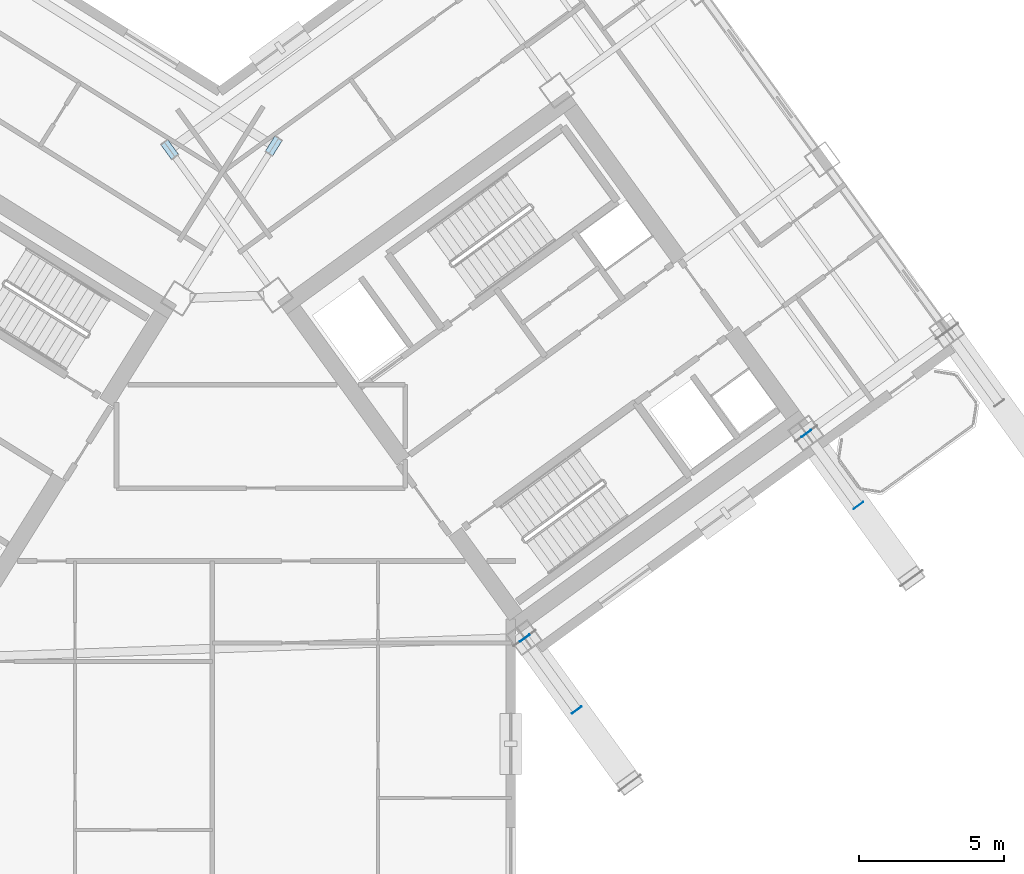
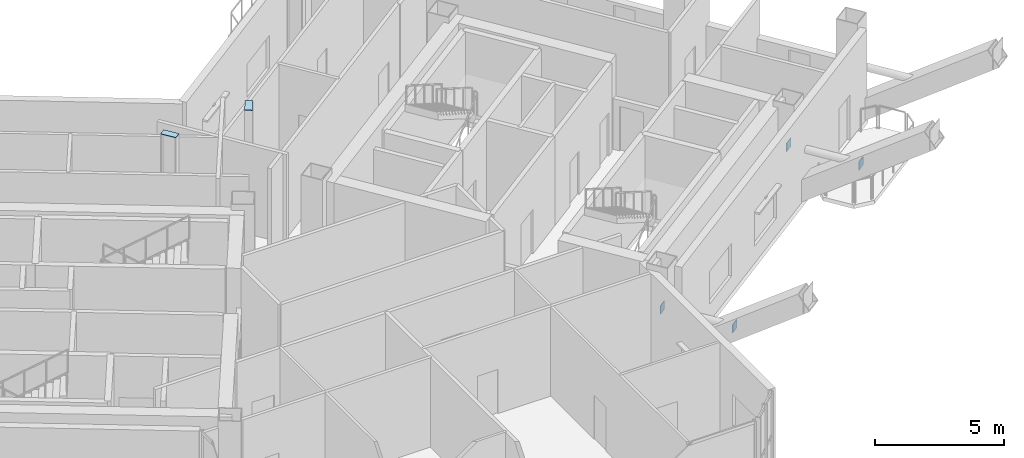
# One storey, part 18 of 32: 6 plates.
"""IFC4 building model written with IfcOpenShell, lengths in metres."""

import ifcopenshell
import ifcopenshell.guid

model = None  # the IFC model being written
_history = None  # IfcOwnerHistory: only IFC2X3 demands one
_inside = {}  # id of a spatial element -> (the spatial element, [elements in it])
_under = {}  # id of a project, library or spatial element -> (it, [spatial elements below it])
_declared = {}  # id of a project -> (the project, [libraries it declares])
_typed = {}  # id of a type object -> (the type object, [elements of that type])
_made_of = {}  # id of a material, layer set ... -> (it, [elements and type objects made of it])


def new_model(schema):
    """Start an empty IFC model of exactly this schema.

    Asked for "IFC4X3", IfcOpenShell would pick the latest addendum, in which some entities
    have other attributes; the version numbers below select the first issue.
    IFC2X3 requires an IfcOwnerHistory on every rooted entity: one is made here for all.
    """
    global model, _history
    if schema == "IFC4X3":
        model = ifcopenshell.file(schema_version=(4, 3, 0, 0))
    else:
        model = ifcopenshell.file(schema=schema)
    _inside.clear()
    _under.clear()
    _declared.clear()
    _typed.clear()
    _made_of.clear()
    _history = None
    if model.schema == "IFC2X3":
        org = make("IfcOrganization", Name="unknown")
        user = make(
            "IfcPersonAndOrganization",
            ThePerson=make("IfcPerson", FamilyName="unknown"),
            TheOrganization=org,
        )
        app = make(
            "IfcApplication",
            ApplicationDeveloper=org,
            Version="unknown",
            ApplicationFullName="unknown",
            ApplicationIdentifier="unknown",
        )
        _history = make(
            "IfcOwnerHistory",
            OwningUser=user,
            OwningApplication=app,
            ChangeAction="ADDED",
            CreationDate=0,
        )
    return model


def make(cls, **values):
    """One entity of the class cls with the attributes given. An attribute that is None is left unset."""
    return model.create_entity(
        cls, **{name: value for name, value in values.items() if value is not None}
    )


def rooted(cls, **values):
    """An entity with a GlobalId (a new one), such as an element, a storey or a relation."""
    return make(cls, GlobalId=ifcopenshell.guid.new(), OwnerHistory=_history, **values)


def si_unit(unit_type, name, prefix=None):
    """IfcSIUnit, for example si_unit("LENGTHUNIT", "METRE", prefix="MILLI")."""
    return make("IfcSIUnit", UnitType=unit_type, Prefix=prefix, Name=name)


def assignment(units):
    """IfcUnitAssignment: the units of a project."""
    return None if units is None else make("IfcUnitAssignment", Units=units)


def point(xyz):
    """IfcCartesianPoint."""
    return None if xyz is None else make("IfcCartesianPoint", Coordinates=xyz)


def direction(xyz):
    """IfcDirection."""
    return None if xyz is None else make("IfcDirection", DirectionRatios=xyz)


def frame(location, z_axis=None, x_axis=None):
    """IfcAxis2Placement3D, a coordinate frame: its origin and axes. An axis left out is left unset."""
    return make(
        "IfcAxis2Placement3D",
        Location=point(location),
        Axis=direction(z_axis),
        RefDirection=direction(x_axis),
    )


def frame_2d(location, x_axis=None):
    """IfcAxis2Placement2D, a coordinate frame in the plane: its origin and x axis."""
    return make(
        "IfcAxis2Placement2D", Location=point(location), RefDirection=direction(x_axis)
    )


def origin():
    """The frame at (0, 0, 0) with its axes left unset."""
    return frame((0.0, 0.0, 0.0))


def origin_2d():
    """The frame at (0, 0) in the plane with its x axis left unset."""
    return frame_2d((0.0, 0.0))


def place(relative_to, where):
    """IfcLocalPlacement: puts the frame where relative to a parent placement (None: the world)."""
    return make(
        "IfcLocalPlacement", PlacementRelTo=relative_to, RelativePlacement=where
    )


def context(
    kind, dimensions, precision=None, world=None, true_north=None, identifier=None
):
    """IfcGeometricRepresentationContext, for example the 3D "Model" context."""
    return make(
        "IfcGeometricRepresentationContext",
        ContextIdentifier=identifier,
        ContextType=kind,
        CoordinateSpaceDimension=dimensions,
        Precision=precision,
        WorldCoordinateSystem=world,
        TrueNorth=true_north,
    )


def subcontext(parent, identifier, kind, view, scale=None):
    """IfcGeometricRepresentationSubContext, for example "Body" below "Model"."""
    return make(
        "IfcGeometricRepresentationSubContext",
        ContextIdentifier=identifier,
        ContextType=kind,
        ParentContext=parent,
        TargetScale=scale,
        TargetView=view,
    )


def project(units=None, contexts=None):
    """IfcProject with its units and contexts."""
    return rooted(
        "IfcProject",
        Name="project",
        RepresentationContexts=contexts,
        UnitsInContext=assignment(units),
    )


def spatial(cls, under=None, at=None, **own):
    """A site, building, storey or space (cls), placed at a placement, below another one or the project."""
    s = rooted(cls, ObjectPlacement=at, **own)
    if under is not None:
        _under.setdefault(under.id(), (under, []))[1].append(s)
    return s


def profile(cls, at=None, kind="AREA", **sizes):
    """A parametric profile (cls). Its sizes go by their IFC names, for example OverallWidth=200.0."""
    return make(cls, ProfileType=kind, Position=at, **sizes)


def rectangle(**sizes):
    """IfcRectangleProfileDef."""
    return profile("IfcRectangleProfileDef", **sizes)


def extrude(swept, where, along, depth):
    """IfcExtrudedAreaSolid: the profile swept, set in the frame where, extruded along a direction by depth."""
    return make(
        "IfcExtrudedAreaSolid",
        SweptArea=swept,
        Position=where,
        ExtrudedDirection=direction(along),
        Depth=depth,
    )


def shape(context_of_items, identifier, shape_type, items):
    """IfcShapeRepresentation: the items that make up one representation, for example the "Body"."""
    return make(
        "IfcShapeRepresentation",
        ContextOfItems=context_of_items,
        RepresentationIdentifier=identifier,
        RepresentationType=shape_type,
        Items=items,
    )


def source(mapping_origin, context_of_items, identifier, shape_type, items):
    """IfcRepresentationMap: a shape defined once, which mapped items show again and again."""
    return make(
        "IfcRepresentationMap",
        MappingOrigin=mapping_origin,
        MappedRepresentation=shape(context_of_items, identifier, shape_type, items),
    )


def transform(
    local_origin,
    x_axis=None,
    y_axis=None,
    z_axis=None,
    scale=None,
    scale2=None,
    scale3=None,
    uniform=True,
):
    """IfcCartesianTransformationOperator3D, or its non-uniform kind. x_axis, y_axis, z_axis: its Axis1, 2, 3."""
    if uniform:
        return make(
            "IfcCartesianTransformationOperator3D",
            Axis1=direction(x_axis),
            Axis2=direction(y_axis),
            LocalOrigin=point(local_origin),
            Scale=scale,
            Axis3=direction(z_axis),
        )
    return make(
        "IfcCartesianTransformationOperator3DnonUniform",
        Axis1=direction(x_axis),
        Axis2=direction(y_axis),
        LocalOrigin=point(local_origin),
        Scale=scale,
        Axis3=direction(z_axis),
        Scale2=scale2,
        Scale3=scale3,
    )


def mapped(mapping_source, mapping_target):
    """IfcMappedItem: shows the shape of a source again, moved by a transform."""
    return make(
        "IfcMappedItem", MappingSource=mapping_source, MappingTarget=mapping_target
    )


def material(Name=None, Category=None):
    """IfcMaterial."""
    return make("IfcMaterial", Name=Name, Category=Category)


def layer(
    of_material, thickness, ventilated=None, Name=None, Category=None, Priority=None
):
    """IfcMaterialLayer: one layer of a wall or slab, of a material (None: an air gap)."""
    return make(
        "IfcMaterialLayer",
        Material=of_material,
        LayerThickness=thickness,
        IsVentilated=ventilated,
        Name=Name,
        Category=Category,
        Priority=Priority,
    )


def layer_set(layers, Name=None):
    """IfcMaterialLayerSet."""
    return make("IfcMaterialLayerSet", MaterialLayers=layers, LayerSetName=Name)


def made_of(thing, what):
    """Note that an element or type object is made of a material, layer set ...; save() writes the relation."""
    if what is not None:
        _made_of.setdefault(what.id(), (what, []))[1].append(thing)
    return thing


def type_object(cls, material=None, **own):
    """A type object (cls), such as IfcWallType, which elements share."""
    return made_of(rooted(cls, **own), material)


def element(
    cls,
    number,
    at=None,
    inside=None,
    cuts=None,
    type_object=None,
    material=None,
    context=None,
    identifier="Body",
    shape_type=None,
    held_by="IfcProductDefinitionShape",
    body=None,
    shapes=None,
    **own,
):
    """One element of the class cls, such as IfcWall. Its Tag is "e" and its number.

    at: its placement. inside: the storey or other place that contains it. cuts: it is an
    opening in that element (IfcRelVoidsElement). A single representation is given by context,
    identifier, shape_type and body (its items); several are given by shapes. held_by: the class
    of the entity that holds the representations. save() writes the other relations.
    """
    e = rooted(cls, Tag="e%d" % number, ObjectPlacement=at, **own)
    if body is not None:
        shapes = [shape(context, identifier, shape_type, body)]
    if shapes is not None:
        e.Representation = make(held_by, Representations=shapes)
    if inside is not None:
        _inside.setdefault(inside.id(), (inside, []))[1].append(e)
    if cuts is not None:
        rooted(
            "IfcRelVoidsElement", RelatingBuildingElement=cuts, RelatedOpeningElement=e
        )
    if type_object is not None:
        _typed.setdefault(type_object.id(), (type_object, []))[1].append(e)
    return made_of(e, material)


def aggregate(whole, parts):
    """IfcRelAggregates: a whole, such as a stair, and the parts it consists of."""
    return rooted("IfcRelAggregates", RelatingObject=whole, RelatedObjects=parts)


def save(model, path):
    """Write the relations noted so far, then the file.

    IfcRelAggregates (storeys below a building ...), IfcRelContainedInSpatialStructure (elements
    in a storey), IfcRelDefinesByType, IfcRelAssociatesMaterial and IfcRelDeclares: one each for
    every whole, place, type object, material and project.
    """
    for whole, parts in _under.values():
        aggregate(whole, parts)
    for where, things in _inside.values():
        rooted(
            "IfcRelContainedInSpatialStructure",
            RelatedElements=things,
            RelatingStructure=where,
        )
    for kind, things in _typed.values():
        rooted("IfcRelDefinesByType", RelatedObjects=things, RelatingType=kind)
    for what, things in _made_of.values():
        rooted("IfcRelAssociatesMaterial", RelatedObjects=things, RelatingMaterial=what)
    for by, libraries in _declared.values():
        rooted("IfcRelDeclares", RelatingContext=by, RelatedDefinitions=libraries)
    model.write(path)


model = new_model("IFC4")

# Units and contexts
model_context = context("Model", 3, precision=1e-05, world=origin(), true_north=direction((0.0, 1.0)))
body_context = subcontext(model_context, "Body", "Model", "MODEL_VIEW")
ifc_project = project(units=[si_unit("LENGTHUNIT", "METRE"), si_unit("AREAUNIT", "SQUARE_METRE"), si_unit("VOLUMEUNIT", "CUBIC_METRE"), si_unit("PLANEANGLEUNIT", "RADIAN"), si_unit("MASSUNIT", "GRAM", prefix="KILO")], contexts=[model_context])

# Site, building, storey
site_placement = place(None, origin())
site = spatial("IfcSite", under=ifc_project, at=site_placement, CompositionType="ELEMENT")
building_placement = place(site_placement, origin())
building = spatial("IfcBuilding", under=site, at=building_placement, Name="Tlacorven Tower", CompositionType="ELEMENT")
storey_placement = place(building_placement, frame((0.0, 0.0, 123.300048828125)))
storey = spatial("IfcBuildingStorey", under=building, at=storey_placement, Name="L31", CompositionType="ELEMENT", Elevation=123.300048828125)

# Plates
ifc_material = material(Name="Steel S460M", Category="steel")
ifc_layer = layer(ifc_material, 0.02392578125)
ifc_layer_set = layer_set([ifc_layer], Name="Steel S460M")
plate_type = type_object("IfcPlateType", Name="PL-CAP-END1", PredefinedType="USERDEFINED", material=ifc_layer_set)
shared_shape_1 = source(origin(), body_context, "Body", "SweptSolid", [
    extrude(rectangle(XDim=0.02392578125, YDim=0.40380859375, at=origin_2d()), origin(), (0.0, 0.0, 1.0), 0.40380859375),
])
for number, where, z_axis, x_axis, name in (
    (1, (52.71728515625, 12.75732421875, 2.048095703125), (0.0, 0.0, 1.0), (0.587783589039, -0.809018202797, 0.0), "L31 hollow end cap plate SBR-L31-E1 1"),
    (2, (54.515869140625, 10.28173828125, 2.048095703125), (0.0, 0.0, 1.0), (0.587783589039, -0.809018202797, 0.0), "L31 hollow end cap plate SBR-L31-E1 2"),
    (3, (62.42529296875, 19.810546875, 2.048095703125), (0.0, 0.0, 1.0), (0.587785960199, -0.80901648005, 0.0), "L31 hollow end cap plate SBR-L31-E3 1"),
    (4, (64.223876953125, 17.3349609375, 2.048095703125), (0.0, 0.0, 1.0), (0.587785960199, -0.80901648005, 0.0), "L31 hollow end cap plate SBR-L31-E3 2"),
):
    element("IfcPlate", number, at=place(storey_placement, frame(where, z_axis=z_axis, x_axis=x_axis)), inside=storey, type_object=plate_type, Name=name, ObjectType="END PLATE", PredefinedType="USERDEFINED", context=body_context, shape_type="MappedRepresentation", body=[
        mapped(shared_shape_1, transform((0.0, 0.0, 0.0), scale=1.0)),
    ])
shared_shape_2 = source(origin(), body_context, "Body", "SweptSolid", [
    extrude(rectangle(XDim=0.300048828125, YDim=0.64990234375, at=origin_2d()), origin(), (0.0, 0.0, 1.0), 0.02392578125),
])
for number, where, z_axis, x_axis, name in (
    (5, (44.068359375, 29.726318359375, 4.498046875), (0.0, 0.0, 1.0), (-0.848048096156, 0.529919264233, 0.0), "L31 Hollow Column Top Cap Plate COL-L31-W1-1"),
    (6, (40.4794921875, 29.60107421875, 4.498046875), (0.0, 0.0, 1.0), (0.809016994375, 0.587785252292, 0.0), "L31 Hollow Column Top Cap Plate COL-L31-E1-4"),
):
    element("IfcPlate", number, at=place(storey_placement, frame(where, z_axis=z_axis, x_axis=x_axis)), inside=storey, type_object=plate_type, Name=name, ObjectType="END PLATE", PredefinedType="USERDEFINED", context=body_context, shape_type="MappedRepresentation", body=[
        mapped(shared_shape_2, transform((0.0, 0.0, 0.0), scale=1.0)),
    ])

save(model, "model.ifc")
